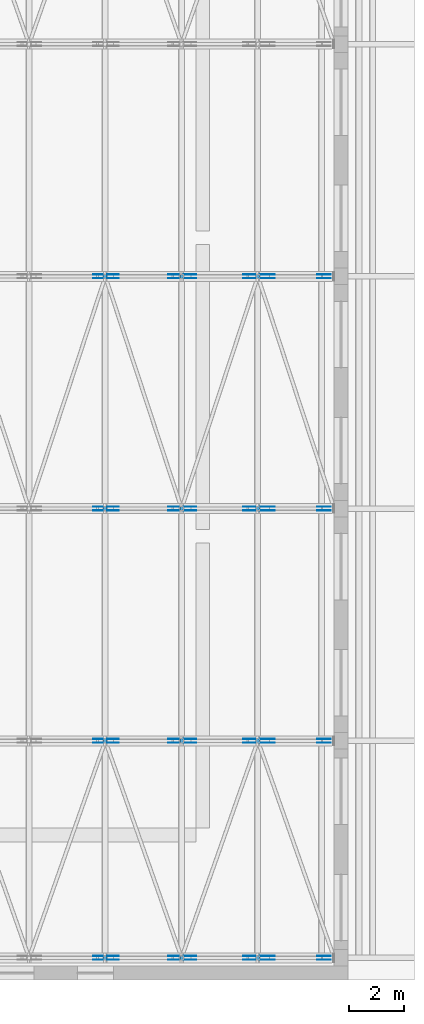
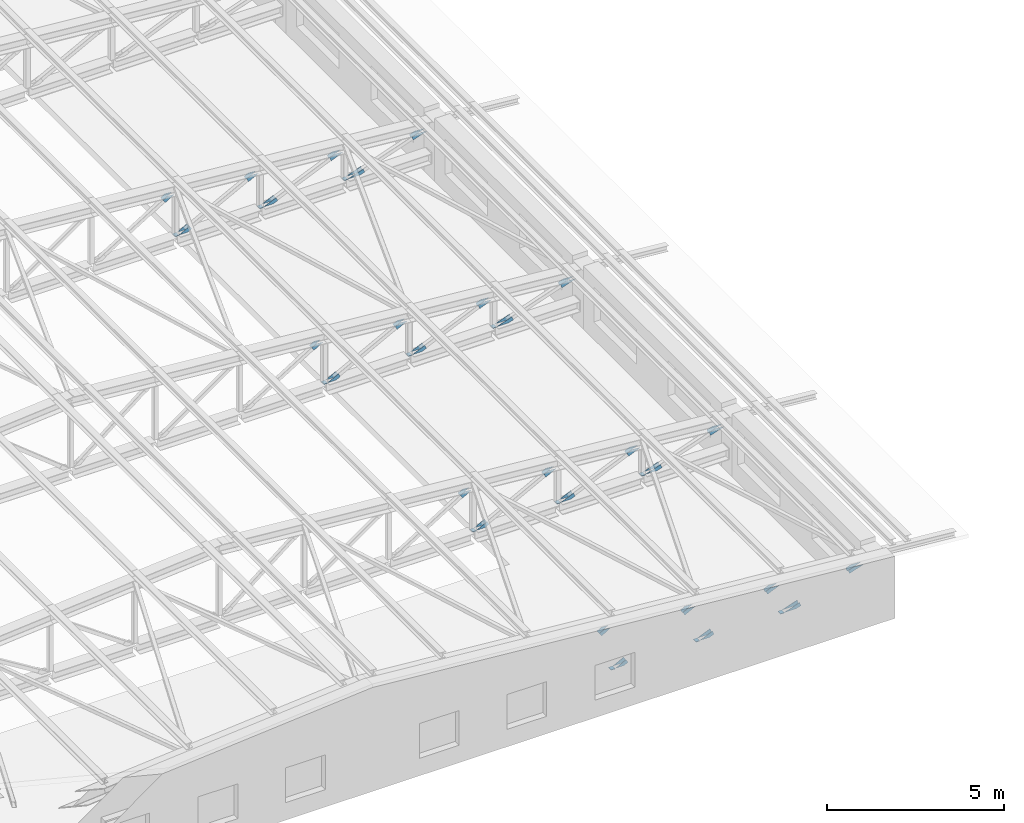
# One storey, part 49 of 60: 68 discrete accessories.
"""IFC4 building model written with IfcOpenShell, lengths in metres."""

from ifc_helpers import new_model, si_unit, direction, frame, origin, origin_2d, place, context, subcontext, project, spatial, polyline, rectangle, outline, extrude, material, layer, layer_set, type_object, element, save


model = new_model("IFC4")

# Units and contexts
model_context = context("Model", 3, precision=1e-05, world=origin(), true_north=direction((0.0, 1.0)))
body_context = subcontext(model_context, "Body", "Model", "MODEL_VIEW")
ifc_project = project(units=[si_unit("LENGTHUNIT", "METRE"), si_unit("AREAUNIT", "SQUARE_METRE"), si_unit("VOLUMEUNIT", "CUBIC_METRE"), si_unit("PLANEANGLEUNIT", "RADIAN"), si_unit("MASSUNIT", "GRAM", prefix="KILO")], contexts=[model_context])

# Site, building, storey
site_placement = place(None, origin())
site = spatial("IfcSite", under=ifc_project, at=site_placement, CompositionType="ELEMENT")
building_placement = place(site_placement, origin())
building = spatial("IfcBuilding", under=site, at=building_placement, Name="Ljudholm Concert House", CompositionType="ELEMENT")
storey_placement = place(building_placement, frame((0.0, 0.0, 15.0)))
storey = spatial("IfcBuildingStorey", under=building, at=storey_placement, Name="L03", CompositionType="ELEMENT", Elevation=15.0)

# Discrete accessories
ifc_material_1 = material(Name="Steel ASTM A36 plate", Category="steel")
ifc_layer_1 = layer(ifc_material_1, 0.011962890625)
ifc_layer_set_1 = layer_set([ifc_layer_1], Name="Steel ASTM A36 plate")
discrete_accessory_type_1 = type_object("IfcDiscreteAccessoryType", Name="GUSSET PLATE 12", PredefinedType="BRACKET", material=ifc_layer_set_1)
for number, where, z_axis, x_axis, name in (
    (1, (35.001220703125, 4.619384765625, -15.0), (0.0, 0.0, 1.0), (1.0, 0.0, 0.0), "Gusset plate"),
    (2, (35.001220703125, 4.48046875, -15.0), (0.0, 0.0, 1.0), (1.0, 0.0, 0.0), "Gusset plate"),
):
    element("IfcDiscreteAccessory", number, at=place(storey_placement, frame(where, z_axis=z_axis, x_axis=x_axis)), inside=storey, type_object=discrete_accessory_type_1, Name=name, PredefinedType="BRACKET", context=body_context, shape_type="SweptSolid", body=[
        extrude(outline(polyline([(2.0283203125, 17.259521484375), (2.17041015625, 17.34716796875), (2.383056640625, 17.3291015625), (2.09521484375, 17.1513671875), (2.0283203125, 17.259521484375)])), frame((0.0, 0.005859375, 0.0), z_axis=(0.0, -1.0, 0.0), x_axis=(1.0, 0.0, 0.0)), (0.0, 0.0, 1.0), 0.011962890625),
    ])
for number, where, z_axis, x_axis, name in (
    (3, (37.794189453125, 4.619384765625, -15.0), (0.0, 0.0, 1.0), (1.0, 0.0, 0.0), "Gusset plate"),
    (4, (37.794189453125, 4.48046875, -15.0), (0.0, 0.0, 1.0), (1.0, 0.0, 0.0), "Gusset plate"),
):
    element("IfcDiscreteAccessory", number, at=place(storey_placement, frame(where, z_axis=z_axis, x_axis=x_axis)), inside=storey, type_object=discrete_accessory_type_1, Name=name, PredefinedType="BRACKET", context=body_context, shape_type="SweptSolid", body=[
        extrude(outline(polyline([(0.162353515625, 15.94775390625), (0.029541015625, 15.877685546875), (-0.242919921875, 15.877685546875), (0.10302734375, 16.06005859375), (0.162353515625, 15.94775390625)])), frame((0.0, 0.005859375, 0.0), z_axis=(0.0, -1.0, 0.0), x_axis=(1.0, 0.0, 0.0)), (0.0, 0.0, 1.0), 0.011962890625),
    ])
for number, where, z_axis, x_axis, name in (
    (5, (37.794189453125, 4.619384765625, -15.0), (0.0, 0.0, 1.0), (1.0, 0.0, 0.0), "Gusset plate"),
    (6, (37.794189453125, 4.48046875, -15.0), (0.0, 0.0, 1.0), (1.0, 0.0, 0.0), "Gusset plate"),
):
    element("IfcDiscreteAccessory", number, at=place(storey_placement, frame(where, z_axis=z_axis, x_axis=x_axis)), inside=storey, type_object=discrete_accessory_type_1, Name=name, PredefinedType="BRACKET", context=body_context, shape_type="SweptSolid", body=[
        extrude(outline(polyline([(1.95751953125, 17.036376953125), (2.109130859375, 17.1162109375), (2.343994140625, 17.09619140625), (2.0166015625, 16.924072265625), (1.95751953125, 17.036376953125)])), frame((0.0, 0.005859375, 0.0), z_axis=(0.0, -1.0, 0.0), x_axis=(1.0, 0.0, 0.0)), (0.0, 0.0, 1.0), 0.011962890625),
    ])
for number, where, z_axis, x_axis, name in (
    (7, (40.60205078125, 4.619384765625, -15.0), (0.0, 0.0, 1.0), (1.0, 0.0, 0.0), "Gusset plate"),
    (8, (40.60205078125, 4.48046875, -15.0), (0.0, 0.0, 1.0), (1.0, 0.0, 0.0), "Gusset plate"),
):
    element("IfcDiscreteAccessory", number, at=place(storey_placement, frame(where, z_axis=z_axis, x_axis=x_axis)), inside=storey, type_object=discrete_accessory_type_1, Name=name, PredefinedType="BRACKET", context=body_context, shape_type="SweptSolid", body=[
        extrude(outline(polyline([(0.162841796875, 15.937744140625), (0.025390625, 15.877685546875), (-0.29248046875, 15.877685546875), (0.112060546875, 16.05419921875), (0.162841796875, 15.937744140625)])), frame((0.0, 0.005859375, 0.0), z_axis=(0.0, -1.0, 0.0), x_axis=(1.0, 0.0, 0.0)), (0.0, 0.0, 1.0), 0.011962890625),
    ])
for number, where, z_axis, x_axis, name in (
    (9, (40.60205078125, 4.619384765625, -15.0), (0.0, 0.0, 1.0), (1.0, 0.0, 0.0), "Gusset plate"),
    (10, (40.60205078125, 4.48046875, -15.0), (0.0, 0.0, 1.0), (1.0, 0.0, 0.0), "Gusset plate"),
):
    element("IfcDiscreteAccessory", number, at=place(storey_placement, frame(where, z_axis=z_axis, x_axis=x_axis)), inside=storey, type_object=discrete_accessory_type_1, Name=name, PredefinedType="BRACKET", context=body_context, shape_type="SweptSolid", body=[
        extrude(outline(polyline([(1.85791015625, 16.81494140625), (2.021240234375, 16.885986328125), (2.28759765625, 16.863525390625), (1.90869140625, 16.698486328125), (1.85791015625, 16.81494140625)])), frame((0.0, 0.005859375, 0.0), z_axis=(0.0, -1.0, 0.0), x_axis=(1.0, 0.0, 0.0)), (0.0, 0.0, 1.0), 0.011962890625),
    ])
for number, where, z_axis, x_axis, name in (
    (11, (43.435791015625, 4.619384765625, -15.0), (0.0, 0.0, 1.0), (1.0, 0.0, 0.0), "Gusset plate"),
    (12, (43.435791015625, 4.48046875, -15.0), (0.0, 0.0, 1.0), (1.0, 0.0, 0.0), "Gusset plate"),
):
    element("IfcDiscreteAccessory", number, at=place(storey_placement, frame(where, z_axis=z_axis, x_axis=x_axis)), inside=storey, type_object=discrete_accessory_type_1, Name=name, PredefinedType="BRACKET", context=body_context, shape_type="SweptSolid", body=[
        extrude(outline(polyline([(0.16259765625, 15.9267578125), (0.020751953125, 15.877685546875), (-0.367919921875, 15.877685546875), (0.12109375, 16.046875), (0.16259765625, 15.9267578125)])), frame((0.0, 0.005859375, 0.0), z_axis=(0.0, -1.0, 0.0), x_axis=(1.0, 0.0, 0.0)), (0.0, 0.0, 1.0), 0.011962890625),
    ])
for number, where, z_axis, x_axis, name in (
    (13, (43.435791015625, 4.619384765625, -15.0), (0.0, 0.0, 1.0), (1.0, 0.0, 0.0), "Gusset plate"),
    (14, (43.435791015625, 4.48046875, -15.0), (0.0, 0.0, 1.0), (1.0, 0.0, 0.0), "Gusset plate"),
):
    element("IfcDiscreteAccessory", number, at=place(storey_placement, frame(where, z_axis=z_axis, x_axis=x_axis)), inside=storey, type_object=discrete_accessory_type_1, Name=name, PredefinedType="BRACKET", context=body_context, shape_type="SweptSolid", body=[
        extrude(outline(polyline([(1.707763671875, 16.595458984375), (1.8876953125, 16.65771484375), (2.2001953125, 16.631103515625), (1.749267578125, 16.475341796875), (1.707763671875, 16.595458984375)])), frame((0.0, 0.005859375, 0.0), z_axis=(0.0, -1.0, 0.0), x_axis=(1.0, 0.0, 0.0)), (0.0, 0.0, 1.0), 0.011962890625),
    ])
for number, where, z_axis, x_axis, name in (
    (15, (35.001220703125, 12.469482421875, -15.0), (0.0, 0.0, 1.0), (1.0, 0.0, 0.0), "Gusset plate"),
    (16, (35.001220703125, 12.33056640625, -15.0), (0.0, 0.0, 1.0), (1.0, 0.0, 0.0), "Gusset plate"),
):
    element("IfcDiscreteAccessory", number, at=place(storey_placement, frame(where, z_axis=z_axis, x_axis=x_axis)), inside=storey, type_object=discrete_accessory_type_1, Name=name, PredefinedType="BRACKET", context=body_context, shape_type="SweptSolid", body=[
        extrude(outline(polyline([(2.0283203125, 17.259521484375), (2.17041015625, 17.34716796875), (2.383056640625, 17.3291015625), (2.09521484375, 17.1513671875), (2.0283203125, 17.259521484375)])), frame((0.0, 0.005859375, 0.0), z_axis=(0.0, -1.0, 0.0), x_axis=(1.0, 0.0, 0.0)), (0.0, 0.0, 1.0), 0.011962890625),
    ])
for number, where, z_axis, x_axis, name in (
    (17, (37.794189453125, 12.469482421875, -15.0), (0.0, 0.0, 1.0), (1.0, 0.0, 0.0), "Gusset plate"),
    (18, (37.794189453125, 12.33056640625, -15.0), (0.0, 0.0, 1.0), (1.0, 0.0, 0.0), "Gusset plate"),
):
    element("IfcDiscreteAccessory", number, at=place(storey_placement, frame(where, z_axis=z_axis, x_axis=x_axis)), inside=storey, type_object=discrete_accessory_type_1, Name=name, PredefinedType="BRACKET", context=body_context, shape_type="SweptSolid", body=[
        extrude(outline(polyline([(0.162353515625, 15.94775390625), (0.029541015625, 15.877685546875), (-0.242919921875, 15.877685546875), (0.10302734375, 16.06005859375), (0.162353515625, 15.94775390625)])), frame((0.0, 0.005859375, 0.0), z_axis=(0.0, -1.0, 0.0), x_axis=(1.0, 0.0, 0.0)), (0.0, 0.0, 1.0), 0.011962890625),
    ])
for number, where, z_axis, x_axis, name in (
    (19, (37.794189453125, 12.469482421875, -15.0), (0.0, 0.0, 1.0), (1.0, 0.0, 0.0), "Gusset plate"),
    (20, (37.794189453125, 12.33056640625, -15.0), (0.0, 0.0, 1.0), (1.0, 0.0, 0.0), "Gusset plate"),
):
    element("IfcDiscreteAccessory", number, at=place(storey_placement, frame(where, z_axis=z_axis, x_axis=x_axis)), inside=storey, type_object=discrete_accessory_type_1, Name=name, PredefinedType="BRACKET", context=body_context, shape_type="SweptSolid", body=[
        extrude(outline(polyline([(1.95751953125, 17.036376953125), (2.109130859375, 17.1162109375), (2.343994140625, 17.09619140625), (2.0166015625, 16.924072265625), (1.95751953125, 17.036376953125)])), frame((0.0, 0.005859375, 0.0), z_axis=(0.0, -1.0, 0.0), x_axis=(1.0, 0.0, 0.0)), (0.0, 0.0, 1.0), 0.011962890625),
    ])
for number, where, z_axis, x_axis, name in (
    (21, (40.60205078125, 12.469482421875, -15.0), (0.0, 0.0, 1.0), (1.0, 0.0, 0.0), "Gusset plate"),
    (22, (40.60205078125, 12.33056640625, -15.0), (0.0, 0.0, 1.0), (1.0, 0.0, 0.0), "Gusset plate"),
):
    element("IfcDiscreteAccessory", number, at=place(storey_placement, frame(where, z_axis=z_axis, x_axis=x_axis)), inside=storey, type_object=discrete_accessory_type_1, Name=name, PredefinedType="BRACKET", context=body_context, shape_type="SweptSolid", body=[
        extrude(outline(polyline([(0.162841796875, 15.937744140625), (0.025390625, 15.877685546875), (-0.29248046875, 15.877685546875), (0.112060546875, 16.05419921875), (0.162841796875, 15.937744140625)])), frame((0.0, 0.005859375, 0.0), z_axis=(0.0, -1.0, 0.0), x_axis=(1.0, 0.0, 0.0)), (0.0, 0.0, 1.0), 0.011962890625),
    ])
for number, where, z_axis, x_axis, name in (
    (23, (40.60205078125, 12.469482421875, -15.0), (0.0, 0.0, 1.0), (1.0, 0.0, 0.0), "Gusset plate"),
    (24, (40.60205078125, 12.33056640625, -15.0), (0.0, 0.0, 1.0), (1.0, 0.0, 0.0), "Gusset plate"),
):
    element("IfcDiscreteAccessory", number, at=place(storey_placement, frame(where, z_axis=z_axis, x_axis=x_axis)), inside=storey, type_object=discrete_accessory_type_1, Name=name, PredefinedType="BRACKET", context=body_context, shape_type="SweptSolid", body=[
        extrude(outline(polyline([(1.85791015625, 16.81494140625), (2.021240234375, 16.885986328125), (2.28759765625, 16.863525390625), (1.90869140625, 16.698486328125), (1.85791015625, 16.81494140625)])), frame((0.0, 0.005859375, 0.0), z_axis=(0.0, -1.0, 0.0), x_axis=(1.0, 0.0, 0.0)), (0.0, 0.0, 1.0), 0.011962890625),
    ])
for number, where, z_axis, x_axis, name in (
    (25, (43.435791015625, 12.469482421875, -15.0), (0.0, 0.0, 1.0), (1.0, 0.0, 0.0), "Gusset plate"),
    (26, (43.435791015625, 12.33056640625, -15.0), (0.0, 0.0, 1.0), (1.0, 0.0, 0.0), "Gusset plate"),
):
    element("IfcDiscreteAccessory", number, at=place(storey_placement, frame(where, z_axis=z_axis, x_axis=x_axis)), inside=storey, type_object=discrete_accessory_type_1, Name=name, PredefinedType="BRACKET", context=body_context, shape_type="SweptSolid", body=[
        extrude(outline(polyline([(0.16259765625, 15.9267578125), (0.020751953125, 15.877685546875), (-0.367919921875, 15.877685546875), (0.12109375, 16.046875), (0.16259765625, 15.9267578125)])), frame((0.0, 0.005859375, 0.0), z_axis=(0.0, -1.0, 0.0), x_axis=(1.0, 0.0, 0.0)), (0.0, 0.0, 1.0), 0.011962890625),
    ])
for number, where, z_axis, x_axis, name in (
    (27, (43.435791015625, 12.469482421875, -15.0), (0.0, 0.0, 1.0), (1.0, 0.0, 0.0), "Gusset plate"),
    (28, (43.435791015625, 12.33056640625, -15.0), (0.0, 0.0, 1.0), (1.0, 0.0, 0.0), "Gusset plate"),
):
    element("IfcDiscreteAccessory", number, at=place(storey_placement, frame(where, z_axis=z_axis, x_axis=x_axis)), inside=storey, type_object=discrete_accessory_type_1, Name=name, PredefinedType="BRACKET", context=body_context, shape_type="SweptSolid", body=[
        extrude(outline(polyline([(1.707763671875, 16.595458984375), (1.8876953125, 16.65771484375), (2.2001953125, 16.631103515625), (1.749267578125, 16.475341796875), (1.707763671875, 16.595458984375)])), frame((0.0, 0.005859375, 0.0), z_axis=(0.0, -1.0, 0.0), x_axis=(1.0, 0.0, 0.0)), (0.0, 0.0, 1.0), 0.011962890625),
    ])
for number, where, z_axis, x_axis, name in (
    (29, (35.001220703125, 20.869384765625, -15.0), (0.0, 0.0, 1.0), (1.0, 0.0, 0.0), "Gusset plate"),
    (30, (35.001220703125, 20.73046875, -15.0), (0.0, 0.0, 1.0), (1.0, 0.0, 0.0), "Gusset plate"),
):
    element("IfcDiscreteAccessory", number, at=place(storey_placement, frame(where, z_axis=z_axis, x_axis=x_axis)), inside=storey, type_object=discrete_accessory_type_1, Name=name, PredefinedType="BRACKET", context=body_context, shape_type="SweptSolid", body=[
        extrude(outline(polyline([(2.0283203125, 17.259521484375), (2.17041015625, 17.34716796875), (2.383056640625, 17.3291015625), (2.09521484375, 17.1513671875), (2.0283203125, 17.259521484375)])), frame((0.0, 0.005859375, 0.0), z_axis=(0.0, -1.0, 0.0), x_axis=(1.0, 0.0, 0.0)), (0.0, 0.0, 1.0), 0.011962890625),
    ])
for number, where, z_axis, x_axis, name in (
    (31, (37.794189453125, 20.869384765625, -15.0), (0.0, 0.0, 1.0), (1.0, 0.0, 0.0), "Gusset plate"),
    (32, (37.794189453125, 20.73046875, -15.0), (0.0, 0.0, 1.0), (1.0, 0.0, 0.0), "Gusset plate"),
):
    element("IfcDiscreteAccessory", number, at=place(storey_placement, frame(where, z_axis=z_axis, x_axis=x_axis)), inside=storey, type_object=discrete_accessory_type_1, Name=name, PredefinedType="BRACKET", context=body_context, shape_type="SweptSolid", body=[
        extrude(outline(polyline([(0.162353515625, 15.94775390625), (0.029541015625, 15.877685546875), (-0.242919921875, 15.877685546875), (0.10302734375, 16.06005859375), (0.162353515625, 15.94775390625)])), frame((0.0, 0.005859375, 0.0), z_axis=(0.0, -1.0, 0.0), x_axis=(1.0, 0.0, 0.0)), (0.0, 0.0, 1.0), 0.011962890625),
    ])
for number, where, z_axis, x_axis, name in (
    (33, (37.794189453125, 20.869384765625, -15.0), (0.0, 0.0, 1.0), (1.0, 0.0, 0.0), "Gusset plate"),
    (34, (37.794189453125, 20.73046875, -15.0), (0.0, 0.0, 1.0), (1.0, 0.0, 0.0), "Gusset plate"),
):
    element("IfcDiscreteAccessory", number, at=place(storey_placement, frame(where, z_axis=z_axis, x_axis=x_axis)), inside=storey, type_object=discrete_accessory_type_1, Name=name, PredefinedType="BRACKET", context=body_context, shape_type="SweptSolid", body=[
        extrude(outline(polyline([(1.95751953125, 17.036376953125), (2.109130859375, 17.1162109375), (2.343994140625, 17.09619140625), (2.0166015625, 16.924072265625), (1.95751953125, 17.036376953125)])), frame((0.0, 0.005859375, 0.0), z_axis=(0.0, -1.0, 0.0), x_axis=(1.0, 0.0, 0.0)), (0.0, 0.0, 1.0), 0.011962890625),
    ])
for number, where, z_axis, x_axis, name in (
    (35, (40.60205078125, 20.869384765625, -15.0), (0.0, 0.0, 1.0), (1.0, 0.0, 0.0), "Gusset plate"),
    (36, (40.60205078125, 20.73046875, -15.0), (0.0, 0.0, 1.0), (1.0, 0.0, 0.0), "Gusset plate"),
):
    element("IfcDiscreteAccessory", number, at=place(storey_placement, frame(where, z_axis=z_axis, x_axis=x_axis)), inside=storey, type_object=discrete_accessory_type_1, Name=name, PredefinedType="BRACKET", context=body_context, shape_type="SweptSolid", body=[
        extrude(outline(polyline([(0.162841796875, 15.937744140625), (0.025390625, 15.877685546875), (-0.29248046875, 15.877685546875), (0.112060546875, 16.05419921875), (0.162841796875, 15.937744140625)])), frame((0.0, 0.005859375, 0.0), z_axis=(0.0, -1.0, 0.0), x_axis=(1.0, 0.0, 0.0)), (0.0, 0.0, 1.0), 0.011962890625),
    ])
for number, where, z_axis, x_axis, name in (
    (37, (40.60205078125, 20.869384765625, -15.0), (0.0, 0.0, 1.0), (1.0, 0.0, 0.0), "Gusset plate"),
    (38, (40.60205078125, 20.73046875, -15.0), (0.0, 0.0, 1.0), (1.0, 0.0, 0.0), "Gusset plate"),
):
    element("IfcDiscreteAccessory", number, at=place(storey_placement, frame(where, z_axis=z_axis, x_axis=x_axis)), inside=storey, type_object=discrete_accessory_type_1, Name=name, PredefinedType="BRACKET", context=body_context, shape_type="SweptSolid", body=[
        extrude(outline(polyline([(1.85791015625, 16.81494140625), (2.021240234375, 16.885986328125), (2.28759765625, 16.863525390625), (1.90869140625, 16.698486328125), (1.85791015625, 16.81494140625)])), frame((0.0, 0.005859375, 0.0), z_axis=(0.0, -1.0, 0.0), x_axis=(1.0, 0.0, 0.0)), (0.0, 0.0, 1.0), 0.011962890625),
    ])
for number, where, z_axis, x_axis, name in (
    (39, (43.435791015625, 20.869384765625, -15.0), (0.0, 0.0, 1.0), (1.0, 0.0, 0.0), "Gusset plate"),
    (40, (43.435791015625, 20.73046875, -15.0), (0.0, 0.0, 1.0), (1.0, 0.0, 0.0), "Gusset plate"),
):
    element("IfcDiscreteAccessory", number, at=place(storey_placement, frame(where, z_axis=z_axis, x_axis=x_axis)), inside=storey, type_object=discrete_accessory_type_1, Name=name, PredefinedType="BRACKET", context=body_context, shape_type="SweptSolid", body=[
        extrude(outline(polyline([(0.16259765625, 15.9267578125), (0.020751953125, 15.877685546875), (-0.367919921875, 15.877685546875), (0.12109375, 16.046875), (0.16259765625, 15.9267578125)])), frame((0.0, 0.005859375, 0.0), z_axis=(0.0, -1.0, 0.0), x_axis=(1.0, 0.0, 0.0)), (0.0, 0.0, 1.0), 0.011962890625),
    ])
for number, where, z_axis, x_axis, name in (
    (41, (43.435791015625, 20.869384765625, -15.0), (0.0, 0.0, 1.0), (1.0, 0.0, 0.0), "Gusset plate"),
    (42, (43.435791015625, 20.73046875, -15.0), (0.0, 0.0, 1.0), (1.0, 0.0, 0.0), "Gusset plate"),
):
    element("IfcDiscreteAccessory", number, at=place(storey_placement, frame(where, z_axis=z_axis, x_axis=x_axis)), inside=storey, type_object=discrete_accessory_type_1, Name=name, PredefinedType="BRACKET", context=body_context, shape_type="SweptSolid", body=[
        extrude(outline(polyline([(1.707763671875, 16.595458984375), (1.8876953125, 16.65771484375), (2.2001953125, 16.631103515625), (1.749267578125, 16.475341796875), (1.707763671875, 16.595458984375)])), frame((0.0, 0.005859375, 0.0), z_axis=(0.0, -1.0, 0.0), x_axis=(1.0, 0.0, 0.0)), (0.0, 0.0, 1.0), 0.011962890625),
    ])
for number, where, z_axis, x_axis, name in (
    (43, (35.001220703125, 29.26953125, -15.0), (0.0, 0.0, 1.0), (1.0, 0.0, 0.0), "Gusset plate"),
    (44, (35.001220703125, 29.130615234375, -15.0), (0.0, 0.0, 1.0), (1.0, 0.0, 0.0), "Gusset plate"),
):
    element("IfcDiscreteAccessory", number, at=place(storey_placement, frame(where, z_axis=z_axis, x_axis=x_axis)), inside=storey, type_object=discrete_accessory_type_1, Name=name, PredefinedType="BRACKET", context=body_context, shape_type="SweptSolid", body=[
        extrude(outline(polyline([(2.0283203125, 17.259521484375), (2.17041015625, 17.34716796875), (2.383056640625, 17.3291015625), (2.09521484375, 17.1513671875), (2.0283203125, 17.259521484375)])), frame((0.0, 0.005859375, 0.0), z_axis=(0.0, -1.0, 0.0), x_axis=(1.0, 0.0, 0.0)), (0.0, 0.0, 1.0), 0.011962890625),
    ])
for number, where, z_axis, x_axis, name in (
    (45, (37.794189453125, 29.26953125, -15.0), (0.0, 0.0, 1.0), (1.0, 0.0, 0.0), "Gusset plate"),
    (46, (37.794189453125, 29.130615234375, -15.0), (0.0, 0.0, 1.0), (1.0, 0.0, 0.0), "Gusset plate"),
):
    element("IfcDiscreteAccessory", number, at=place(storey_placement, frame(where, z_axis=z_axis, x_axis=x_axis)), inside=storey, type_object=discrete_accessory_type_1, Name=name, PredefinedType="BRACKET", context=body_context, shape_type="SweptSolid", body=[
        extrude(outline(polyline([(0.162353515625, 15.94775390625), (0.029541015625, 15.877685546875), (-0.242919921875, 15.877685546875), (0.10302734375, 16.06005859375), (0.162353515625, 15.94775390625)])), frame((0.0, 0.005859375, 0.0), z_axis=(0.0, -1.0, 0.0), x_axis=(1.0, 0.0, 0.0)), (0.0, 0.0, 1.0), 0.011962890625),
    ])
for number, where, z_axis, x_axis, name in (
    (47, (37.794189453125, 29.26953125, -15.0), (0.0, 0.0, 1.0), (1.0, 0.0, 0.0), "Gusset plate"),
    (48, (37.794189453125, 29.130615234375, -15.0), (0.0, 0.0, 1.0), (1.0, 0.0, 0.0), "Gusset plate"),
):
    element("IfcDiscreteAccessory", number, at=place(storey_placement, frame(where, z_axis=z_axis, x_axis=x_axis)), inside=storey, type_object=discrete_accessory_type_1, Name=name, PredefinedType="BRACKET", context=body_context, shape_type="SweptSolid", body=[
        extrude(outline(polyline([(1.95751953125, 17.036376953125), (2.109130859375, 17.1162109375), (2.343994140625, 17.09619140625), (2.0166015625, 16.924072265625), (1.95751953125, 17.036376953125)])), frame((0.0, 0.005859375, 0.0), z_axis=(0.0, -1.0, 0.0), x_axis=(1.0, 0.0, 0.0)), (0.0, 0.0, 1.0), 0.011962890625),
    ])
for number, where, z_axis, x_axis, name in (
    (49, (40.60205078125, 29.26953125, -15.0), (0.0, 0.0, 1.0), (1.0, 0.0, 0.0), "Gusset plate"),
    (50, (40.60205078125, 29.130615234375, -15.0), (0.0, 0.0, 1.0), (1.0, 0.0, 0.0), "Gusset plate"),
):
    element("IfcDiscreteAccessory", number, at=place(storey_placement, frame(where, z_axis=z_axis, x_axis=x_axis)), inside=storey, type_object=discrete_accessory_type_1, Name=name, PredefinedType="BRACKET", context=body_context, shape_type="SweptSolid", body=[
        extrude(outline(polyline([(0.162841796875, 15.937744140625), (0.025390625, 15.877685546875), (-0.29248046875, 15.877685546875), (0.112060546875, 16.05419921875), (0.162841796875, 15.937744140625)])), frame((0.0, 0.005859375, 0.0), z_axis=(0.0, -1.0, 0.0), x_axis=(1.0, 0.0, 0.0)), (0.0, 0.0, 1.0), 0.011962890625),
    ])
for number, where, z_axis, x_axis, name in (
    (51, (40.60205078125, 29.26953125, -15.0), (0.0, 0.0, 1.0), (1.0, 0.0, 0.0), "Gusset plate"),
    (52, (40.60205078125, 29.130615234375, -15.0), (0.0, 0.0, 1.0), (1.0, 0.0, 0.0), "Gusset plate"),
):
    element("IfcDiscreteAccessory", number, at=place(storey_placement, frame(where, z_axis=z_axis, x_axis=x_axis)), inside=storey, type_object=discrete_accessory_type_1, Name=name, PredefinedType="BRACKET", context=body_context, shape_type="SweptSolid", body=[
        extrude(outline(polyline([(1.85791015625, 16.81494140625), (2.021240234375, 16.885986328125), (2.28759765625, 16.863525390625), (1.90869140625, 16.698486328125), (1.85791015625, 16.81494140625)])), frame((0.0, 0.005859375, 0.0), z_axis=(0.0, -1.0, 0.0), x_axis=(1.0, 0.0, 0.0)), (0.0, 0.0, 1.0), 0.011962890625),
    ])
for number, where, z_axis, x_axis, name in (
    (53, (43.435791015625, 29.26953125, -15.0), (0.0, 0.0, 1.0), (1.0, 0.0, 0.0), "Gusset plate"),
    (54, (43.435791015625, 29.130615234375, -15.0), (0.0, 0.0, 1.0), (1.0, 0.0, 0.0), "Gusset plate"),
):
    element("IfcDiscreteAccessory", number, at=place(storey_placement, frame(where, z_axis=z_axis, x_axis=x_axis)), inside=storey, type_object=discrete_accessory_type_1, Name=name, PredefinedType="BRACKET", context=body_context, shape_type="SweptSolid", body=[
        extrude(outline(polyline([(0.16259765625, 15.9267578125), (0.020751953125, 15.877685546875), (-0.367919921875, 15.877685546875), (0.12109375, 16.046875), (0.16259765625, 15.9267578125)])), frame((0.0, 0.005859375, 0.0), z_axis=(0.0, -1.0, 0.0), x_axis=(1.0, 0.0, 0.0)), (0.0, 0.0, 1.0), 0.011962890625),
    ])
for number, where, z_axis, x_axis, name in (
    (55, (43.435791015625, 29.26953125, -15.0), (0.0, 0.0, 1.0), (1.0, 0.0, 0.0), "Gusset plate"),
    (56, (43.435791015625, 29.130615234375, -15.0), (0.0, 0.0, 1.0), (1.0, 0.0, 0.0), "Gusset plate"),
):
    element("IfcDiscreteAccessory", number, at=place(storey_placement, frame(where, z_axis=z_axis, x_axis=x_axis)), inside=storey, type_object=discrete_accessory_type_1, Name=name, PredefinedType="BRACKET", context=body_context, shape_type="SweptSolid", body=[
        extrude(outline(polyline([(1.707763671875, 16.595458984375), (1.8876953125, 16.65771484375), (2.2001953125, 16.631103515625), (1.749267578125, 16.475341796875), (1.707763671875, 16.595458984375)])), frame((0.0, 0.005859375, 0.0), z_axis=(0.0, -1.0, 0.0), x_axis=(1.0, 0.0, 0.0)), (0.0, 0.0, 1.0), 0.011962890625),
    ])
ifc_material_2 = material(Name="Steel ASTM A36 plate", Category="steel")
ifc_layer_2 = layer(ifc_material_2, 0.01806640625)
ifc_layer_set_2 = layer_set([ifc_layer_2], Name="Steel ASTM A36 plate")
discrete_accessory_type_2 = type_object("IfcDiscreteAccessoryType", Name="SPLICE PLATE 18", PredefinedType="BRACKET", material=ifc_layer_set_2)
for number, where, z_axis, x_axis, name in (
    (57, (37.47509765625, 4.550048828125, 0.85986328125), (0.0, 0.0, 1.0), (1.0, 0.0, 0.0), "Chord splice plate"),
    (58, (40.2333984375, 4.550048828125, 0.85986328125), (0.0, 0.0, 1.0), (1.0, 0.0, 0.0), "Chord splice plate"),
    (59, (42.99169921875, 4.550048828125, 0.85986328125), (0.0, 0.0, 1.0), (1.0, 0.0, 0.0), "Chord splice plate"),
    (60, (37.47509765625, 12.39990234375, 0.85986328125), (0.0, 0.0, 1.0), (1.0, 0.0, 0.0), "Chord splice plate"),
    (61, (40.2333984375, 12.39990234375, 0.85986328125), (0.0, 0.0, 1.0), (1.0, 0.0, 0.0), "Chord splice plate"),
    (62, (42.99169921875, 12.39990234375, 0.85986328125), (0.0, 0.0, 1.0), (1.0, 0.0, 0.0), "Chord splice plate"),
    (63, (37.47509765625, 20.800048828125, 0.85986328125), (0.0, 0.0, 1.0), (1.0, 0.0, 0.0), "Chord splice plate"),
    (64, (40.2333984375, 20.800048828125, 0.85986328125), (0.0, 0.0, 1.0), (1.0, 0.0, 0.0), "Chord splice plate"),
    (65, (42.99169921875, 20.800048828125, 0.85986328125), (0.0, 0.0, 1.0), (1.0, 0.0, 0.0), "Chord splice plate"),
    (66, (37.47509765625, 29.199951171875, 0.85986328125), (0.0, 0.0, 1.0), (1.0, 0.0, 0.0), "Chord splice plate"),
    (67, (40.2333984375, 29.199951171875, 0.85986328125), (0.0, 0.0, 1.0), (1.0, 0.0, 0.0), "Chord splice plate"),
    (68, (42.99169921875, 29.199951171875, 0.85986328125), (0.0, 0.0, 1.0), (1.0, 0.0, 0.0), "Chord splice plate"),
):
    element("IfcDiscreteAccessory", number, at=place(storey_placement, frame(where, z_axis=z_axis, x_axis=x_axis)), inside=storey, type_object=discrete_accessory_type_2, Name=name, PredefinedType="BRACKET", context=body_context, shape_type="SweptSolid", body=[
        extrude(rectangle(XDim=0.1240234375, YDim=0.15234375, at=origin_2d()), origin(), (0.0, 0.0, 1.0), 0.01806640625),
    ])

save(model, "model.ifc")
